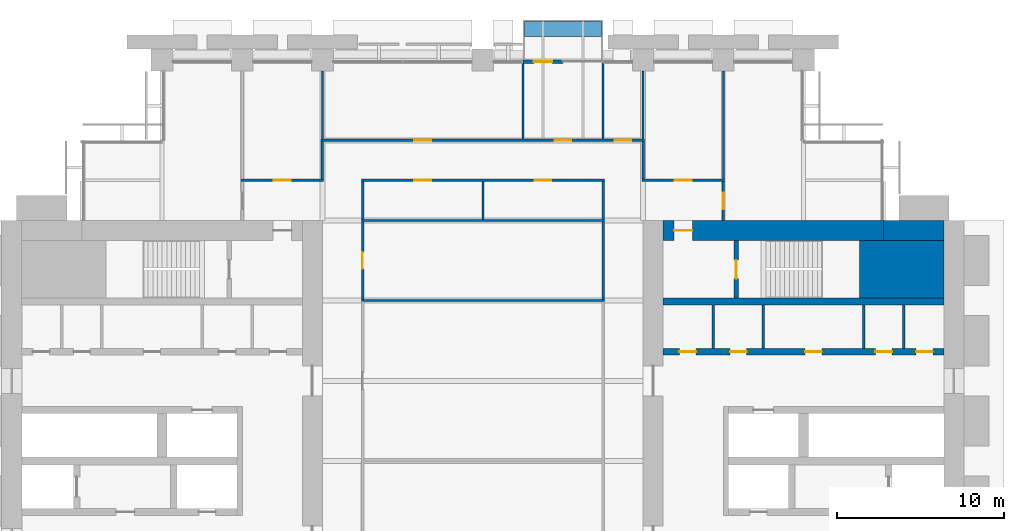
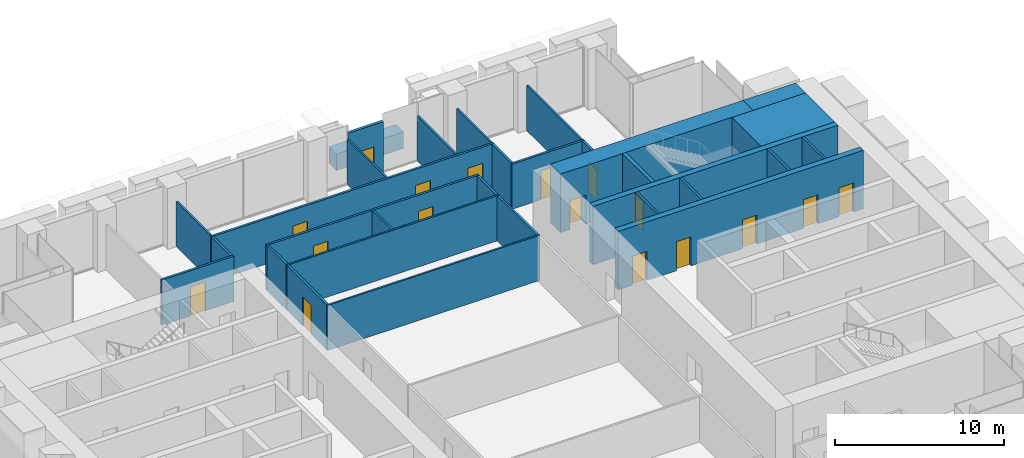
# One storey, part 12 of 15: 31 walls, 17 doors, 17 openings.
"""IFC4 building model written with IfcOpenShell, lengths in metres."""

from ifc_helpers import new_model, si_unit, direction, frame, frame_2d, origin, place, context, subcontext, project, spatial, rectangle, extrude, material, layer, layer_set, type_object, element, fill, save


model = new_model("IFC4")

# Units and contexts
model_context = context("Model", 3, precision=1e-05, world=origin(), true_north=direction((0.0, 1.0)))
body_context = subcontext(model_context, "Body", "Model", "MODEL_VIEW")
ifc_project = project(units=[si_unit("LENGTHUNIT", "METRE"), si_unit("AREAUNIT", "SQUARE_METRE"), si_unit("VOLUMEUNIT", "CUBIC_METRE"), si_unit("PLANEANGLEUNIT", "RADIAN"), si_unit("MASSUNIT", "GRAM", prefix="KILO")], contexts=[model_context])

# Site, building, storey
site_placement = place(None, origin())
site = spatial("IfcSite", under=ifc_project, at=site_placement, CompositionType="ELEMENT")
building_placement = place(site_placement, origin())
building = spatial("IfcBuilding", under=site, at=building_placement, Name="Baori Bourse Tower", CompositionType="ELEMENT")
storey_placement = place(building_placement, frame((0.0, 0.0, 34.60009765625)))
storey = spatial("IfcBuildingStorey", under=building, at=storey_placement, Name="L06", CompositionType="ELEMENT", Elevation=34.60009765625)

# Walls
ifc_material_1 = material(Name="Concrete f'c 70 MPa", Category="concrete")
wall_type_1 = type_object("IfcWallType", Name="Core corner block f'c 70", PredefinedType="SHEAR", material=ifc_material_1)
wall_1_placement = place(storey_placement, frame((51.35009765625, 35.47509765625, 0.0), z_axis=(0.0, 0.0, 1.0), x_axis=(1.0, 0.0, 0.0)))
element("IfcWall", 1, at=wall_1_placement, inside=storey, type_object=wall_type_1, Name="Core wall E23", PredefinedType="SHEAR", context=body_context, shape_type="SweptSolid", body=[
    extrude(rectangle(XDim=5.0498046875, YDim=3.449951171875, at=frame_2d((2.52490234375, 0.0))), origin(), (0.0, 0.0, 1.0), 4.239990234375),
])
ifc_material_2 = material(Name="Blockwork partition", Category="masonry")
ifc_layer_1 = layer(ifc_material_2, 0.14990234375)
ifc_layer_set_1 = layer_set([ifc_layer_1], Name="Core partition 150")
wall_type_2 = type_object("IfcWallType", Name="Core partition 150", PredefinedType="PARTITIONING", material=ifc_layer_set_1)
for number, where, z_axis, x_axis, name in (
    (2, (54.0, 30.75, 0.0), (0.0, 0.0, 1.0), (0.0, 1.0, 0.0), "Partition wall E18"),
    (3, (51.60009765625, 30.75, 0.0), (0.0, 0.0, 1.0), (0.0, 1.0, 0.0), "Partition wall E19"),
    (4, (45.60009765625, 30.75, 0.0), (0.0, 0.0, 1.0), (0.0, 1.0, 0.0), "Partition wall E20"),
    (5, (42.60009765625, 30.75, 0.0), (0.0, 0.0, 1.0), (0.0, 1.0, 0.0), "Partition wall E21"),
):
    element("IfcWall", number, at=place(storey_placement, frame(where, z_axis=z_axis, x_axis=x_axis)), inside=storey, type_object=wall_type_2, Name=name, PredefinedType="PARTITIONING", context=body_context, shape_type="SweptSolid", body=[
        extrude(rectangle(XDim=2.60009765625, YDim=0.14990234375, at=frame_2d((1.300048828125, 0.0))), origin(), (0.0, 0.0, 1.0), 4.239990234375),
    ])
ifc_material_3 = material(Name="Concrete f'c 70 MPa", Category="concrete")
ifc_layer_2 = layer(ifc_material_3, 1.199951171875)
ifc_layer_set_2 = layer_set([ifc_layer_2], Name="Core wall 1200 f'c 70")
wall_type_3 = type_object("IfcWallType", Name="Core wall 1200 f'c 70", PredefinedType="SHEAR", material=ifc_layer_set_2)
wall_2_placement = place(storey_placement, frame((52.800048828125, 37.800048828125, 0.0), z_axis=(0.0, 0.0, 1.0), x_axis=(1.0, 0.0, 0.0)))
element("IfcWall", 6, at=wall_2_placement, inside=storey, type_object=wall_type_3, Name="Core wall E25", PredefinedType="SHEAR", context=body_context, shape_type="SweptSolid", body=[
    extrude(rectangle(XDim=3.599853515625, YDim=1.199951171875, at=frame_2d((1.7998046875, 0.0))), origin(), (0.0, 0.0, 1.0), 4.239990234375),
])

# Wall, opening, door
wall_3_placement = place(storey_placement, frame((39.60009765625, 37.800048828125, 0.0), z_axis=(0.0, 0.0, 1.0), x_axis=(1.0, 0.0, 0.0)))
wall_3 = element("IfcWall", 7, at=wall_3_placement, inside=storey, type_object=wall_type_3, Name="Core wall E26", PredefinedType="SHEAR", context=body_context, shape_type="SweptSolid", body=[
    extrude(rectangle(XDim=13.199951171875, YDim=1.199951171875, at=frame_2d((6.60009765625, 0.0))), origin(), (0.0, 0.0, 1.0), 4.239990234375),
])
opening_1_placement = place(wall_3_placement, frame((0.64990234375, 0.0, 0.0)))
opening_1 = element("IfcOpeningElement", 8, at=opening_1_placement, cuts=wall_3, Name="Opening L06-D204", PredefinedType="OPENING", context=body_context, shape_type="SweptSolid", body=[
    extrude(rectangle(XDim=1.10009765625, YDim=2.10009765625, at=frame_2d((0.550048828125, 1.050048828125))), frame((0.0, 0.60986328125, 0.0), z_axis=(0.0, -1.0, 0.0), x_axis=(1.0, 0.0, 0.0)), (0.0, 0.0, 1.0), 1.219970703125),
])
ifc_material_4 = material(Name="Painted steel door", Category="steel")
door_type_1 = type_object("IfcDoorType", Name="Stair door 1100", OperationType="SINGLE_SWING_LEFT", PredefinedType="DOOR", material=ifc_material_4)
door_1_placement = place(opening_1_placement, origin())
door_1 = element("IfcDoor", 9, at=door_1_placement, inside=storey, type_object=door_type_1, Name="Stair vestibule door B E L06", OperationType="SINGLE_SWING_LEFT", OverallHeight=2.10009765625, OverallWidth=1.10009765625, PredefinedType="DOOR", context=body_context, shape_type="SweptSolid", body=[
    extrude(rectangle(XDim=1.10009765625, YDim=2.10009765625, at=frame_2d((0.550048828125, 1.050048828125))), frame((0.0, 0.02490234375, 0.0), z_axis=(0.0, -1.0, 0.0), x_axis=(1.0, 0.0, 0.0)), (0.0, 0.0, 1.0), 0.050048828125),
])
fill(opening_1, door_1)

ifc_material_5 = material(Name="Gypsum board partition")
ifc_layer_3 = layer(ifc_material_5, 0.14990234375)
ifc_layer_set_3 = layer_set([ifc_layer_3], Name="Corridor partition 150")
wall_type_4 = type_object("IfcWallType", Name="Corridor partition 150", PredefinedType="PARTITIONING", material=ifc_layer_set_3)
wall_4_placement = place(storey_placement, frame((14.324951171875, 40.800048828125, 0.0), z_axis=(0.0, 0.0, 1.0), x_axis=(1.0, 0.0, 0.0)))
wall_4 = element("IfcWall", 10, at=wall_4_placement, inside=storey, type_object=wall_type_4, Name="Partition", PredefinedType="PARTITIONING", context=body_context, shape_type="SweptSolid", body=[
    extrude(rectangle(XDim=4.949951171875, YDim=0.14990234375, at=frame_2d((2.47509765625, 0.0))), origin(), (0.0, 0.0, 1.0), 3.26953125),
])
opening_2_placement = place(wall_4_placement, frame((1.97509765625, 0.0, 0.0)))
opening_2 = element("IfcOpeningElement", 11, at=opening_2_placement, cuts=wall_4, Name="Opening L06-D10", PredefinedType="OPENING", context=body_context, shape_type="SweptSolid", body=[
    extrude(rectangle(XDim=1.0, YDim=2.10009765625, at=frame_2d((0.5, 1.050048828125))), frame((0.0, 0.0849609375, 0.0), z_axis=(0.0, -1.0, 0.0), x_axis=(1.0, 0.0, 0.0)), (0.0, 0.0, 1.0), 0.169921875),
])
ifc_material_6 = material(Name="Timber door leaf", Category="wood")
door_type_2 = type_object("IfcDoorType", Name="Door 1000 x 2100", OperationType="SINGLE_SWING_LEFT", PredefinedType="DOOR", material=ifc_material_6)
door_2_placement = place(opening_2_placement, origin())
door_2 = element("IfcDoor", 12, at=door_2_placement, inside=storey, type_object=door_type_2, Name="Door", OperationType="SINGLE_SWING_LEFT", OverallHeight=2.10009765625, OverallWidth=1.0, PredefinedType="DOOR", context=body_context, shape_type="SweptSolid", body=[
    extrude(rectangle(XDim=1.0, YDim=2.10009765625, at=frame_2d((0.5, 1.050048828125))), frame((0.0, 0.02490234375, 0.0), z_axis=(0.0, -1.0, 0.0), x_axis=(1.0, 0.0, 0.0)), (0.0, 0.0, 1.0), 0.050048828125),
])
fill(opening_2, door_2)

# Wall, openings, doors
wall_5_placement = place(storey_placement, frame((21.52490234375, 40.800048828125, 0.0), z_axis=(0.0, 0.0, 1.0), x_axis=(1.0, 0.0, 0.0)))
wall_5 = element("IfcWall", 13, at=wall_5_placement, inside=storey, type_object=wall_type_4, Name="Partition", PredefinedType="PARTITIONING", context=body_context, shape_type="SweptSolid", body=[
    extrude(rectangle(XDim=14.550048828125, YDim=0.14990234375, at=frame_2d((7.27490234375, 0.0))), origin(), (0.0, 0.0, 1.0), 3.26953125),
])
opening_3_placement = place(wall_5_placement, frame((3.175048828125, 0.0, 0.0)))
opening_3 = element("IfcOpeningElement", 14, at=opening_3_placement, cuts=wall_5, Name="Opening L06-D11", PredefinedType="OPENING", context=body_context, shape_type="SweptSolid", body=[
    extrude(rectangle(XDim=1.0, YDim=2.10009765625, at=frame_2d((0.5, 1.050048828125))), frame((0.0, 0.0849609375, 0.0), z_axis=(0.0, -1.0, 0.0), x_axis=(1.0, 0.0, 0.0)), (0.0, 0.0, 1.0), 0.169921875),
])
opening_4_placement = place(wall_5_placement, frame((10.375, 0.0, 0.0)))
opening_4 = element("IfcOpeningElement", 15, at=opening_4_placement, cuts=wall_5, Name="Opening L06-D12", PredefinedType="OPENING", context=body_context, shape_type="SweptSolid", body=[
    extrude(rectangle(XDim=1.0, YDim=2.10009765625, at=frame_2d((0.5, 1.050048828125))), frame((0.0, 0.0849609375, 0.0), z_axis=(0.0, -1.0, 0.0), x_axis=(1.0, 0.0, 0.0)), (0.0, 0.0, 1.0), 0.169921875),
])
door_3_placement = place(opening_3_placement, origin())
door_3 = element("IfcDoor", 16, at=door_3_placement, inside=storey, type_object=door_type_2, Name="Door", OperationType="SINGLE_SWING_LEFT", OverallHeight=2.10009765625, OverallWidth=1.0, PredefinedType="DOOR", context=body_context, shape_type="SweptSolid", body=[
    extrude(rectangle(XDim=1.0, YDim=2.10009765625, at=frame_2d((0.5, 1.050048828125))), frame((0.0, 0.02490234375, 0.0), z_axis=(0.0, -1.0, 0.0), x_axis=(1.0, 0.0, 0.0)), (0.0, 0.0, 1.0), 0.050048828125),
])
fill(opening_3, door_3)
door_4_placement = place(opening_4_placement, origin())
door_4 = element("IfcDoor", 17, at=door_4_placement, inside=storey, type_object=door_type_2, Name="Door", OperationType="SINGLE_SWING_RIGHT", OverallHeight=2.10009765625, OverallWidth=1.0, PredefinedType="DOOR", context=body_context, shape_type="SweptSolid", body=[
    extrude(rectangle(XDim=1.0, YDim=2.10009765625, at=frame_2d((0.5, 1.050048828125))), frame((0.0, 0.02490234375, 0.0), z_axis=(0.0, -1.0, 0.0), x_axis=(1.0, 0.0, 0.0)), (0.0, 0.0, 1.0), 0.050048828125),
])
fill(opening_4, door_4)

# Wall, opening, door
wall_6_placement = place(storey_placement, frame((38.324951171875, 40.800048828125, 0.0), z_axis=(0.0, 0.0, 1.0), x_axis=(1.0, 0.0, 0.0)))
wall_6 = element("IfcWall", 18, at=wall_6_placement, inside=storey, type_object=wall_type_4, Name="Partition", PredefinedType="PARTITIONING", context=body_context, shape_type="SweptSolid", body=[
    extrude(rectangle(XDim=4.949951171875, YDim=0.14990234375, at=frame_2d((2.47509765625, 0.0))), origin(), (0.0, 0.0, 1.0), 3.26953125),
])
opening_5_placement = place(wall_6_placement, frame((1.97509765625, 0.0, 0.0)))
opening_5 = element("IfcOpeningElement", 19, at=opening_5_placement, cuts=wall_6, Name="Opening L06-D13", PredefinedType="OPENING", context=body_context, shape_type="SweptSolid", body=[
    extrude(rectangle(XDim=1.0, YDim=2.10009765625, at=frame_2d((0.5, 1.050048828125))), frame((0.0, 0.0849609375, 0.0), z_axis=(0.0, -1.0, 0.0), x_axis=(1.0, 0.0, 0.0)), (0.0, 0.0, 1.0), 0.169921875),
])
door_5_placement = place(opening_5_placement, origin())
door_5 = element("IfcDoor", 20, at=door_5_placement, inside=storey, type_object=door_type_2, Name="Door", OperationType="SINGLE_SWING_RIGHT", OverallHeight=2.10009765625, OverallWidth=1.0, PredefinedType="DOOR", context=body_context, shape_type="SweptSolid", body=[
    extrude(rectangle(XDim=1.0, YDim=2.10009765625, at=frame_2d((0.5, 1.050048828125))), frame((0.0, 0.02490234375, 0.0), z_axis=(0.0, -1.0, 0.0), x_axis=(1.0, 0.0, 0.0)), (0.0, 0.0, 1.0), 0.050048828125),
])
fill(opening_5, door_5)

# Wall, openings, doors
wall_7_placement = place(storey_placement, frame((19.125, 43.199951171875, 0.0), z_axis=(0.0, 0.0, 1.0), x_axis=(1.0, 0.0, 0.0)))
wall_7 = element("IfcWall", 21, at=wall_7_placement, inside=storey, type_object=wall_type_4, Name="Partition", PredefinedType="PARTITIONING", context=body_context, shape_type="SweptSolid", body=[
    extrude(rectangle(XDim=19.35009765625, YDim=0.14990234375, at=frame_2d((9.675048828125, 0.0))), origin(), (0.0, 0.0, 1.0), 3.26953125),
])
opening_6_placement = place(wall_7_placement, frame((5.574951171875, 0.0, 0.0)))
opening_6 = element("IfcOpeningElement", 22, at=opening_6_placement, cuts=wall_7, Name="Opening L06-D14", PredefinedType="OPENING", context=body_context, shape_type="SweptSolid", body=[
    extrude(rectangle(XDim=1.0, YDim=2.10009765625, at=frame_2d((0.5, 1.050048828125))), frame((0.0, 0.0849609375, 0.0), z_axis=(0.0, -1.0, 0.0), x_axis=(1.0, 0.0, 0.0)), (0.0, 0.0, 1.0), 0.169921875),
])
opening_7_placement = place(wall_7_placement, frame((13.97509765625, 0.0, 0.0)))
opening_7 = element("IfcOpeningElement", 23, at=opening_7_placement, cuts=wall_7, Name="Opening L06-D15", PredefinedType="OPENING", context=body_context, shape_type="SweptSolid", body=[
    extrude(rectangle(XDim=1.0, YDim=2.10009765625, at=frame_2d((0.5, 1.050048828125))), frame((0.0, 0.0849609375, 0.0), z_axis=(0.0, -1.0, 0.0), x_axis=(1.0, 0.0, 0.0)), (0.0, 0.0, 1.0), 0.169921875),
])
opening_8_placement = place(wall_7_placement, frame((17.574951171875, 0.0, 0.0)))
opening_8 = element("IfcOpeningElement", 24, at=opening_8_placement, cuts=wall_7, Name="Opening L06-D16", PredefinedType="OPENING", context=body_context, shape_type="SweptSolid", body=[
    extrude(rectangle(XDim=1.0, YDim=2.10009765625, at=frame_2d((0.5, 1.050048828125))), frame((0.0, 0.0849609375, 0.0), z_axis=(0.0, -1.0, 0.0), x_axis=(1.0, 0.0, 0.0)), (0.0, 0.0, 1.0), 0.169921875),
])
door_6_placement = place(opening_6_placement, origin())
door_6 = element("IfcDoor", 25, at=door_6_placement, inside=storey, type_object=door_type_2, Name="Door", OperationType="SINGLE_SWING_RIGHT", OverallHeight=2.10009765625, OverallWidth=1.0, PredefinedType="DOOR", context=body_context, shape_type="SweptSolid", body=[
    extrude(rectangle(XDim=1.0, YDim=2.10009765625, at=frame_2d((0.5, 1.050048828125))), frame((0.0, 0.02490234375, 0.0), z_axis=(0.0, -1.0, 0.0), x_axis=(1.0, 0.0, 0.0)), (0.0, 0.0, 1.0), 0.050048828125),
])
fill(opening_6, door_6)
door_7_placement = place(opening_7_placement, origin())
door_7 = element("IfcDoor", 26, at=door_7_placement, inside=storey, type_object=door_type_2, Name="Door", OperationType="SINGLE_SWING_LEFT", OverallHeight=2.10009765625, OverallWidth=1.0, PredefinedType="DOOR", context=body_context, shape_type="SweptSolid", body=[
    extrude(rectangle(XDim=1.0, YDim=2.10009765625, at=frame_2d((0.5, 1.050048828125))), frame((0.0, 0.02490234375, 0.0), z_axis=(0.0, -1.0, 0.0), x_axis=(1.0, 0.0, 0.0)), (0.0, 0.0, 1.0), 0.050048828125),
])
fill(opening_7, door_7)
door_8_placement = place(opening_8_placement, origin())
door_8 = element("IfcDoor", 27, at=door_8_placement, inside=storey, type_object=door_type_2, Name="Door", OperationType="SINGLE_SWING_LEFT", OverallHeight=2.10009765625, OverallWidth=1.0, PredefinedType="DOOR", context=body_context, shape_type="SweptSolid", body=[
    extrude(rectangle(XDim=1.0, YDim=2.10009765625, at=frame_2d((0.5, 1.050048828125))), frame((0.0, 0.02490234375, 0.0), z_axis=(0.0, -1.0, 0.0), x_axis=(1.0, 0.0, 0.0)), (0.0, 0.0, 1.0), 0.050048828125),
])
fill(opening_8, door_8)

# Wall
wall_8_placement = place(storey_placement, frame((19.199951171875, 40.875, 0.0), z_axis=(0.0, 0.0, 1.0), x_axis=(0.0, 1.0, 0.0)))
element("IfcWall", 28, at=wall_8_placement, inside=storey, type_object=wall_type_4, Name="Partition", PredefinedType="PARTITIONING", context=body_context, shape_type="SweptSolid", body=[
    extrude(rectangle(XDim=2.25, YDim=0.14990234375, at=frame_2d((1.125, 0.0))), origin(), (0.0, 0.0, 1.0), 3.26953125),
])

# Wall, opening, door
wall_9_placement = place(storey_placement, frame((21.60009765625, 33.66259765625, 0.0), z_axis=(0.0, 0.0, 1.0), x_axis=(0.0, 1.0, 0.0)))
wall_9 = element("IfcWall", 29, at=wall_9_placement, inside=storey, type_object=wall_type_4, Name="Partition", PredefinedType="PARTITIONING", context=body_context, shape_type="SweptSolid", body=[
    extrude(rectangle(XDim=4.6748046875, YDim=0.14990234375, at=frame_2d((2.33740234375, 0.0))), origin(), (0.0, 0.0, 1.0), 3.26953125),
])
opening_9_placement = place(wall_9_placement, frame((1.83740234375, 0.0, 0.0)))
opening_9 = element("IfcOpeningElement", 30, at=opening_9_placement, cuts=wall_9, Name="Opening L06-D21", PredefinedType="OPENING", context=body_context, shape_type="SweptSolid", body=[
    extrude(rectangle(XDim=1.0, YDim=2.10009765625, at=frame_2d((0.5, 1.050048828125))), frame((0.0, 0.0849609375, 0.0), z_axis=(0.0, -1.0, 0.0), x_axis=(1.0, 0.0, 0.0)), (0.0, 0.0, 1.0), 0.169921875),
])
door_9_placement = place(opening_9_placement, origin())
door_9 = element("IfcDoor", 31, at=door_9_placement, inside=storey, type_object=door_type_2, Name="Door", OperationType="SINGLE_SWING_LEFT", OverallHeight=2.10009765625, OverallWidth=1.0, PredefinedType="DOOR", context=body_context, shape_type="SweptSolid", body=[
    extrude(rectangle(XDim=1.0, YDim=2.10009765625, at=frame_2d((0.5, 1.050048828125))), frame((0.0, 0.02490234375, 0.0), z_axis=(0.0, -1.0, 0.0), x_axis=(1.0, 0.0, 0.0)), (0.0, 0.0, 1.0), 0.050048828125),
])
fill(opening_9, door_9)

# Walls
wall_10_placement = place(storey_placement, frame((21.60009765625, 38.46240234375, 0.0), z_axis=(0.0, 0.0, 1.0), x_axis=(0.0, 1.0, 0.0)))
element("IfcWall", 32, at=wall_10_placement, inside=storey, type_object=wall_type_4, Name="Partition", PredefinedType="PARTITIONING", context=body_context, shape_type="SweptSolid", body=[
    extrude(rectangle(XDim=2.2626953125, YDim=0.14990234375, at=frame_2d((1.13134765625, 0.0))), origin(), (0.0, 0.0, 1.0), 3.26953125),
])
wall_11_placement = place(storey_placement, frame((36.0, 33.66259765625, 0.0), z_axis=(0.0, 0.0, 1.0), x_axis=(0.0, 1.0, 0.0)))
element("IfcWall", 33, at=wall_11_placement, inside=storey, type_object=wall_type_4, Name="Partition", PredefinedType="PARTITIONING", context=body_context, shape_type="SweptSolid", body=[
    extrude(rectangle(XDim=4.6748046875, YDim=0.14990234375, at=frame_2d((2.33740234375, 0.0))), origin(), (0.0, 0.0, 1.0), 3.26953125),
])
wall_12_placement = place(storey_placement, frame((36.0, 38.46240234375, 0.0), z_axis=(0.0, 0.0, 1.0), x_axis=(0.0, 1.0, 0.0)))
element("IfcWall", 34, at=wall_12_placement, inside=storey, type_object=wall_type_4, Name="Partition", PredefinedType="PARTITIONING", context=body_context, shape_type="SweptSolid", body=[
    extrude(rectangle(XDim=2.2626953125, YDim=0.14990234375, at=frame_2d((1.13134765625, 0.0))), origin(), (0.0, 0.0, 1.0), 3.26953125),
])
wall_13_placement = place(storey_placement, frame((38.39990234375, 40.875, 0.0), z_axis=(0.0, 0.0, 1.0), x_axis=(0.0, 1.0, 0.0)))
element("IfcWall", 35, at=wall_13_placement, inside=storey, type_object=wall_type_4, Name="Partition", PredefinedType="PARTITIONING", context=body_context, shape_type="SweptSolid", body=[
    extrude(rectangle(XDim=2.25, YDim=0.14990234375, at=frame_2d((1.125, 0.0))), origin(), (0.0, 0.0, 1.0), 3.26953125),
])

# Wall, opening, door
wall_14_placement = place(storey_placement, frame((43.199951171875, 38.39990234375, 0.0), z_axis=(0.0, 0.0, 1.0), x_axis=(0.0, 1.0, 0.0)))
wall_14 = element("IfcWall", 36, at=wall_14_placement, inside=storey, type_object=wall_type_4, Name="Partition", PredefinedType="PARTITIONING", context=body_context, shape_type="SweptSolid", body=[
    extrude(rectangle(XDim=2.3251953125, YDim=0.14990234375, at=frame_2d((1.16259765625, 0.0))), origin(), (0.0, 0.0, 1.0), 3.26953125),
])
opening_10_placement = place(wall_14_placement, frame((0.66259765625, 0.0, 0.0)))
opening_10 = element("IfcOpeningElement", 37, at=opening_10_placement, cuts=wall_14, Name="Opening L06-D23", PredefinedType="OPENING", context=body_context, shape_type="SweptSolid", body=[
    extrude(rectangle(XDim=1.0, YDim=2.10009765625, at=frame_2d((0.5, 1.050048828125))), frame((0.0, 0.0849609375, 0.0), z_axis=(0.0, -1.0, 0.0), x_axis=(1.0, 0.0, 0.0)), (0.0, 0.0, 1.0), 0.169921875),
])
door_10_placement = place(opening_10_placement, origin())
door_10 = element("IfcDoor", 38, at=door_10_placement, inside=storey, type_object=door_type_2, Name="Door", OperationType="SINGLE_SWING_LEFT", OverallHeight=2.10009765625, OverallWidth=1.0, PredefinedType="DOOR", context=body_context, shape_type="SweptSolid", body=[
    extrude(rectangle(XDim=1.0, YDim=2.10009765625, at=frame_2d((0.5, 1.050048828125))), frame((0.0, 0.02490234375, 0.0), z_axis=(0.0, -1.0, 0.0), x_axis=(1.0, 0.0, 0.0)), (0.0, 0.0, 1.0), 0.050048828125),
])
fill(opening_10, door_10)

ifc_material_7 = material(Name="Pale anodised aluminium", Category="aluminium")
ifc_layer_4 = layer(ifc_material_7, 0.199951171875)
ifc_layer_set_4 = layer_set([ifc_layer_4], Name="EW1 External wall bay")
wall_type_5 = type_object("IfcWallType", Name="EW1 External wall bay", PredefinedType="SOLIDWALL", material=ifc_layer_set_4)
wall_15_placement = place(storey_placement, frame((33.60009765625, 47.89990234375, 0.0), z_axis=(0.0, 0.0, 1.0), x_axis=(-1.0, 0.0, 0.0)))
wall_15 = element("IfcWall", 39, at=wall_15_placement, inside=storey, type_object=wall_type_5, Name="External wall bay L06 1", PredefinedType="SOLIDWALL", context=body_context, shape_type="SweptSolid", body=[
    extrude(rectangle(XDim=2.400146484375, YDim=0.199951171875, at=frame_2d((1.2001953125, 0.0))), origin(), (0.0, 0.0, 1.0), 3.714111328125),
])
opening_11_placement = place(wall_15_placement, frame((0.64990234375, 0.0, 0.0)))
opening_11 = element("IfcOpeningElement", 40, at=opening_11_placement, cuts=wall_15, Name="Opening L06-D91", PredefinedType="OPENING", context=body_context, shape_type="SweptSolid", body=[
    extrude(rectangle(XDim=1.10009765625, YDim=2.10009765625, at=frame_2d((0.550048828125, 1.050048828125))), frame((0.0, 0.10986328125, 0.0), z_axis=(0.0, -1.0, 0.0), x_axis=(1.0, 0.0, 0.0)), (0.0, 0.0, 1.0), 0.219970703125),
])
ifc_material_8 = material(Name="Pale anodised aluminium", Category="aluminium")
door_type_3 = type_object("IfcDoorType", Name="BL1 Balcony door", OperationType="SINGLE_SWING_LEFT", PredefinedType="DOOR", material=ifc_material_8)
door_11_placement = place(opening_11_placement, origin())
door_11 = element("IfcDoor", 41, at=door_11_placement, inside=storey, type_object=door_type_3, Name="Balcony door L06 1", OperationType="SINGLE_SWING_LEFT", OverallHeight=2.10009765625, OverallWidth=1.10009765625, PredefinedType="DOOR", context=body_context, shape_type="SweptSolid", body=[
    extrude(rectangle(XDim=1.10009765625, YDim=2.10009765625, at=frame_2d((0.550048828125, 1.050048828125))), frame((0.0, 0.02490234375, 0.0), z_axis=(0.0, -1.0, 0.0), x_axis=(1.0, 0.0, 0.0)), (0.0, 0.0, 1.0), 0.050048828125),
])
fill(opening_11, door_11)

# Walls
ifc_material_9 = material(Name="Concrete f'c 40 MPa", Category="concrete")
ifc_layer_5 = layer(ifc_material_9, 0.89990234375)
ifc_layer_set_5 = layer_set([ifc_layer_5], Name="PW1 Planter wall")
wall_type_6 = type_object("IfcWallType", Name="PW1 Planter wall", PredefinedType="USERDEFINED", material=ifc_layer_set_5)
wall_16_placement = place(storey_placement, frame((31.300048828125, 49.85009765625, 0.0), z_axis=(0.0, 0.0, 1.0), x_axis=(1.0, 0.0, 0.0)))
element("IfcWall", 42, at=wall_16_placement, inside=storey, type_object=wall_type_6, Name="Planter balcony N L06 2", ObjectType="PLANTER", PredefinedType="USERDEFINED", context=body_context, shape_type="SweptSolid", body=[
    extrude(rectangle(XDim=4.599853515625, YDim=0.89990234375, at=frame_2d((2.2998046875, 0.0))), origin(), (0.0, 0.0, 1.0), 1.199951171875),
])
ifc_material_10 = material(Name="Gypsum board partition")
ifc_layer_6 = layer(ifc_material_10, 0.125)
ifc_layer_set_6 = layer_set([ifc_layer_6], Name="Partition 125")
wall_type_7 = type_object("IfcWallType", Name="Partition 125", PredefinedType="PARTITIONING", material=ifc_layer_set_6)
for number, where, z_axis, x_axis, name in (
    (43, (21.52490234375, 33.60009765625, 0.0), (0.0, 0.0, 1.0), (1.0, 0.0, 0.0), "Partition"),
    (44, (21.52490234375, 38.39990234375, 0.0), (0.0, 0.0, 1.0), (1.0, 0.0, 0.0), "Partition"),
):
    element("IfcWall", number, at=place(storey_placement, frame(where, z_axis=z_axis, x_axis=x_axis)), inside=storey, type_object=wall_type_7, Name=name, PredefinedType="PARTITIONING", context=body_context, shape_type="SweptSolid", body=[
        extrude(rectangle(XDim=14.550048828125, YDim=0.125, at=frame_2d((7.27490234375, 0.0))), origin(), (0.0, 0.0, 1.0), 3.26953125),
    ])
wall_17_placement = place(storey_placement, frame((19.199951171875, 43.27490234375, 0.0), z_axis=(0.0, 0.0, 1.0), x_axis=(0.0, 1.0, 0.0)))
element("IfcWall", 45, at=wall_17_placement, inside=storey, type_object=wall_type_7, Name="Partition", PredefinedType="PARTITIONING", context=body_context, shape_type="SweptSolid", body=[
    extrude(rectangle(XDim=4.0751953125, YDim=0.125, at=frame_2d((2.03759765625, 0.0))), origin(), (0.0, 0.0, 1.0), 3.26953125),
])
wall_18_placement = place(storey_placement, frame((28.800048828125, 38.46240234375, 0.0), z_axis=(0.0, 0.0, 1.0), x_axis=(0.0, 1.0, 0.0)))
element("IfcWall", 46, at=wall_18_placement, inside=storey, type_object=wall_type_7, Name="Partition", PredefinedType="PARTITIONING", context=body_context, shape_type="SweptSolid", body=[
    extrude(rectangle(XDim=2.2626953125, YDim=0.125, at=frame_2d((1.13134765625, 0.0))), origin(), (0.0, 0.0, 1.0), 3.26953125),
])
for number, where, z_axis, x_axis, name in (
    (47, (31.199951171875, 43.27490234375, 0.0), (0.0, 0.0, 1.0), (0.0, 1.0, 0.0), "Partition"),
    (48, (36.0, 43.27490234375, 0.0), (0.0, 0.0, 1.0), (0.0, 1.0, 0.0), "Partition"),
):
    element("IfcWall", number, at=place(storey_placement, frame(where, z_axis=z_axis, x_axis=x_axis)), inside=storey, type_object=wall_type_7, Name=name, PredefinedType="PARTITIONING", context=body_context, shape_type="SweptSolid", body=[
        extrude(rectangle(XDim=4.625, YDim=0.125, at=frame_2d((2.3125, 0.0))), origin(), (0.0, 0.0, 1.0), 3.26953125),
    ])
wall_19_placement = place(storey_placement, frame((38.39990234375, 43.27490234375, 0.0), z_axis=(0.0, 0.0, 1.0), x_axis=(0.0, 1.0, 0.0)))
element("IfcWall", 49, at=wall_19_placement, inside=storey, type_object=wall_type_7, Name="Partition", PredefinedType="PARTITIONING", context=body_context, shape_type="SweptSolid", body=[
    extrude(rectangle(XDim=4.0751953125, YDim=0.125, at=frame_2d((2.03759765625, 0.0))), origin(), (0.0, 0.0, 1.0), 3.26953125),
])
wall_20_placement = place(storey_placement, frame((43.199951171875, 40.875, 0.0), z_axis=(0.0, 0.0, 1.0), x_axis=(0.0, 1.0, 0.0)))
element("IfcWall", 50, at=wall_20_placement, inside=storey, type_object=wall_type_7, Name="Partition", PredefinedType="PARTITIONING", context=body_context, shape_type="SweptSolid", body=[
    extrude(rectangle(XDim=6.47509765625, YDim=0.125, at=frame_2d((3.237548828125, 0.0))), origin(), (0.0, 0.0, 1.0), 3.26953125),
])

# Wall, opening, door
ifc_material_11 = material(Name="Concrete f'c 70 MPa", Category="concrete")
ifc_layer_7 = layer(ifc_material_11, 0.25)
ifc_layer_set_7 = layer_set([ifc_layer_7], Name="Shaft wall 250 f'c 70")
wall_type_8 = type_object("IfcWallType", Name="Shaft wall 250 f'c 70", PredefinedType="SHEAR", material=ifc_layer_set_7)
wall_21_placement = place(storey_placement, frame((43.97509765625, 33.75, 0.0), z_axis=(0.0, 0.0, 1.0), x_axis=(0.0, 1.0, 0.0)))
wall_21 = element("IfcWall", 51, at=wall_21_placement, inside=storey, type_object=wall_type_8, Name="Core wall E24", PredefinedType="SHEAR", context=body_context, shape_type="SweptSolid", body=[
    extrude(rectangle(XDim=3.449951171875, YDim=0.25, at=frame_2d((1.72509765625, 0.0))), origin(), (0.0, 0.0, 1.0), 4.239990234375),
])
opening_12_placement = place(wall_21_placement, frame((1.175048828125, 0.0, 0.0)))
opening_12 = element("IfcOpeningElement", 52, at=opening_12_placement, cuts=wall_21, Name="Opening L06-D203", PredefinedType="OPENING", context=body_context, shape_type="SweptSolid", body=[
    extrude(rectangle(XDim=1.10009765625, YDim=2.10009765625, at=frame_2d((0.550048828125, 1.050048828125))), frame((0.0, 0.135009765625, 0.0), z_axis=(0.0, -1.0, 0.0), x_axis=(1.0, 0.0, 0.0)), (0.0, 0.0, 1.0), 0.27001953125),
])
door_12_placement = place(opening_12_placement, origin())
door_12 = element("IfcDoor", 53, at=door_12_placement, inside=storey, type_object=door_type_1, Name="Stair door B E L06", OperationType="SINGLE_SWING_LEFT", OverallHeight=2.10009765625, OverallWidth=1.10009765625, PredefinedType="DOOR", context=body_context, shape_type="SweptSolid", body=[
    extrude(rectangle(XDim=1.10009765625, YDim=2.10009765625, at=frame_2d((0.550048828125, 1.050048828125))), frame((0.0, 0.02490234375, 0.0), z_axis=(0.0, -1.0, 0.0), x_axis=(1.0, 0.0, 0.0)), (0.0, 0.0, 1.0), 0.050048828125),
])
fill(opening_12, door_12)

# Wall, openings, doors
ifc_material_12 = material(Name="Concrete f'c 70 MPa", Category="concrete")
ifc_layer_8 = layer(ifc_material_12, 0.39990234375)
ifc_layer_set_8 = layer_set([ifc_layer_8], Name="Shaft wall 400 f'c 70")
wall_type_9 = type_object("IfcWallType", Name="Shaft wall 400 f'c 70", PredefinedType="SHEAR", material=ifc_layer_set_8)
wall_22_placement = place(storey_placement, frame((39.60009765625, 30.550048828125, 0.0), z_axis=(0.0, 0.0, 1.0), x_axis=(1.0, 0.0, 0.0)))
wall_22 = element("IfcWall", 54, at=wall_22_placement, inside=storey, type_object=wall_type_9, Name="Core wall E17", PredefinedType="SHEAR", context=body_context, shape_type="SweptSolid", body=[
    extrude(rectangle(XDim=16.7998046875, YDim=0.39990234375, at=frame_2d((8.39990234375, 0.0))), origin(), (0.0, 0.0, 1.0), 4.239990234375),
])
opening_13_placement = place(wall_22_placement, frame((15.137451171875, 0.0, 0.0)))
opening_13 = element("IfcOpeningElement", 55, at=opening_13_placement, cuts=wall_22, Name="Opening L06-D209", PredefinedType="OPENING", context=body_context, shape_type="SweptSolid", body=[
    extrude(rectangle(XDim=1.0, YDim=2.10009765625, at=frame_2d((0.5, 1.050048828125))), frame((0.0, 0.2099609375, 0.0), z_axis=(0.0, -1.0, 0.0), x_axis=(1.0, 0.0, 0.0)), (0.0, 0.0, 1.0), 0.419921875),
])
opening_14_placement = place(wall_22_placement, frame((12.699951171875, 0.0, 0.0)))
opening_14 = element("IfcOpeningElement", 56, at=opening_14_placement, cuts=wall_22, Name="Opening L06-D210", PredefinedType="OPENING", context=body_context, shape_type="SweptSolid", body=[
    extrude(rectangle(XDim=1.0, YDim=2.10009765625, at=frame_2d((0.5, 1.050048828125))), frame((0.0, 0.2099609375, 0.0), z_axis=(0.0, -1.0, 0.0), x_axis=(1.0, 0.0, 0.0)), (0.0, 0.0, 1.0), 0.419921875),
])
opening_15_placement = place(wall_22_placement, frame((8.5, 0.0, 0.0)))
opening_15 = element("IfcOpeningElement", 57, at=opening_15_placement, cuts=wall_22, Name="Opening L06-D211", PredefinedType="OPENING", context=body_context, shape_type="SweptSolid", body=[
    extrude(rectangle(XDim=1.0, YDim=2.10009765625, at=frame_2d((0.5, 1.050048828125))), frame((0.0, 0.2099609375, 0.0), z_axis=(0.0, -1.0, 0.0), x_axis=(1.0, 0.0, 0.0)), (0.0, 0.0, 1.0), 0.419921875),
])
opening_16_placement = place(wall_22_placement, frame((4.0, 0.0, 0.0)))
opening_16 = element("IfcOpeningElement", 58, at=opening_16_placement, cuts=wall_22, Name="Opening L06-D212", PredefinedType="OPENING", context=body_context, shape_type="SweptSolid", body=[
    extrude(rectangle(XDim=1.0, YDim=2.10009765625, at=frame_2d((0.5, 1.050048828125))), frame((0.0, 0.2099609375, 0.0), z_axis=(0.0, -1.0, 0.0), x_axis=(1.0, 0.0, 0.0)), (0.0, 0.0, 1.0), 0.419921875),
])
opening_17_placement = place(wall_22_placement, frame((0.96240234375, 0.0, 0.0)))
opening_17 = element("IfcOpeningElement", 59, at=opening_17_placement, cuts=wall_22, Name="Opening L06-D213", PredefinedType="OPENING", context=body_context, shape_type="SweptSolid", body=[
    extrude(rectangle(XDim=1.0, YDim=2.10009765625, at=frame_2d((0.5, 1.050048828125))), frame((0.0, 0.2099609375, 0.0), z_axis=(0.0, -1.0, 0.0), x_axis=(1.0, 0.0, 0.0)), (0.0, 0.0, 1.0), 0.419921875),
])
ifc_material_13 = material(Name="Painted steel door", Category="steel")
door_type_4 = type_object("IfcDoorType", Name="Core door 1000", OperationType="SINGLE_SWING_LEFT", PredefinedType="DOOR", material=ifc_material_13)
door_13_placement = place(opening_14_placement, origin())
door_13 = element("IfcDoor", 60, at=door_13_placement, inside=storey, type_object=door_type_4, Name="Store Room door E L06", OperationType="SINGLE_SWING_LEFT", OverallHeight=2.10009765625, OverallWidth=1.0, PredefinedType="DOOR", context=body_context, shape_type="SweptSolid", body=[
    extrude(rectangle(XDim=1.0, YDim=2.10009765625, at=frame_2d((0.5, 1.050048828125))), frame((0.0, 0.02490234375, 0.0), z_axis=(0.0, -1.0, 0.0), x_axis=(1.0, 0.0, 0.0)), (0.0, 0.0, 1.0), 0.050048828125),
])
fill(opening_14, door_13)
door_14_placement = place(opening_15_placement, origin())
door_14 = element("IfcDoor", 61, at=door_14_placement, inside=storey, type_object=door_type_4, Name="Men'S Wc door E L06", OperationType="SINGLE_SWING_LEFT", OverallHeight=2.10009765625, OverallWidth=1.0, PredefinedType="DOOR", context=body_context, shape_type="SweptSolid", body=[
    extrude(rectangle(XDim=1.0, YDim=2.10009765625, at=frame_2d((0.5, 1.050048828125))), frame((0.0, 0.02490234375, 0.0), z_axis=(0.0, -1.0, 0.0), x_axis=(1.0, 0.0, 0.0)), (0.0, 0.0, 1.0), 0.050048828125),
])
fill(opening_15, door_14)
door_15_placement = place(opening_16_placement, origin())
door_15 = element("IfcDoor", 62, at=door_15_placement, inside=storey, type_object=door_type_4, Name="Women'S Wc door E L06", OperationType="SINGLE_SWING_LEFT", OverallHeight=2.10009765625, OverallWidth=1.0, PredefinedType="DOOR", context=body_context, shape_type="SweptSolid", body=[
    extrude(rectangle(XDim=1.0, YDim=2.10009765625, at=frame_2d((0.5, 1.050048828125))), frame((0.0, 0.02490234375, 0.0), z_axis=(0.0, -1.0, 0.0), x_axis=(1.0, 0.0, 0.0)), (0.0, 0.0, 1.0), 0.050048828125),
])
fill(opening_16, door_15)
door_16_placement = place(opening_17_placement, origin())
door_16 = element("IfcDoor", 63, at=door_16_placement, inside=storey, type_object=door_type_4, Name="Accessible Wc door E L06", OperationType="SINGLE_SWING_LEFT", OverallHeight=2.10009765625, OverallWidth=1.0, PredefinedType="DOOR", context=body_context, shape_type="SweptSolid", body=[
    extrude(rectangle(XDim=1.0, YDim=2.10009765625, at=frame_2d((0.5, 1.050048828125))), frame((0.0, 0.02490234375, 0.0), z_axis=(0.0, -1.0, 0.0), x_axis=(1.0, 0.0, 0.0)), (0.0, 0.0, 1.0), 0.050048828125),
])
fill(opening_17, door_16)
ifc_material_14 = material(Name="Painted steel door", Category="steel")
door_type_5 = type_object("IfcDoorType", Name="Plant room door 1000", OperationType="SINGLE_SWING_LEFT", PredefinedType="DOOR", material=ifc_material_14)
door_17_placement = place(opening_13_placement, origin())
door_17 = element("IfcDoor", 64, at=door_17_placement, inside=storey, type_object=door_type_5, Name="Communications Room door E L06", OperationType="SINGLE_SWING_LEFT", OverallHeight=2.10009765625, OverallWidth=1.0, PredefinedType="DOOR", context=body_context, shape_type="SweptSolid", body=[
    extrude(rectangle(XDim=1.0, YDim=2.10009765625, at=frame_2d((0.5, 1.050048828125))), frame((0.0, 0.02490234375, 0.0), z_axis=(0.0, -1.0, 0.0), x_axis=(1.0, 0.0, 0.0)), (0.0, 0.0, 1.0), 0.050048828125),
])
fill(opening_13, door_17)

# Wall
wall_23_placement = place(storey_placement, frame((39.60009765625, 33.550048828125, 0.0), z_axis=(0.0, 0.0, 1.0), x_axis=(1.0, 0.0, 0.0)))
element("IfcWall", 65, at=wall_23_placement, inside=storey, type_object=wall_type_9, Name="Core wall E22", PredefinedType="SHEAR", context=body_context, shape_type="SweptSolid", body=[
    extrude(rectangle(XDim=16.7998046875, YDim=0.39990234375, at=frame_2d((8.39990234375, 0.0))), origin(), (0.0, 0.0, 1.0), 4.239990234375),
])

save(model, "model.ifc")
